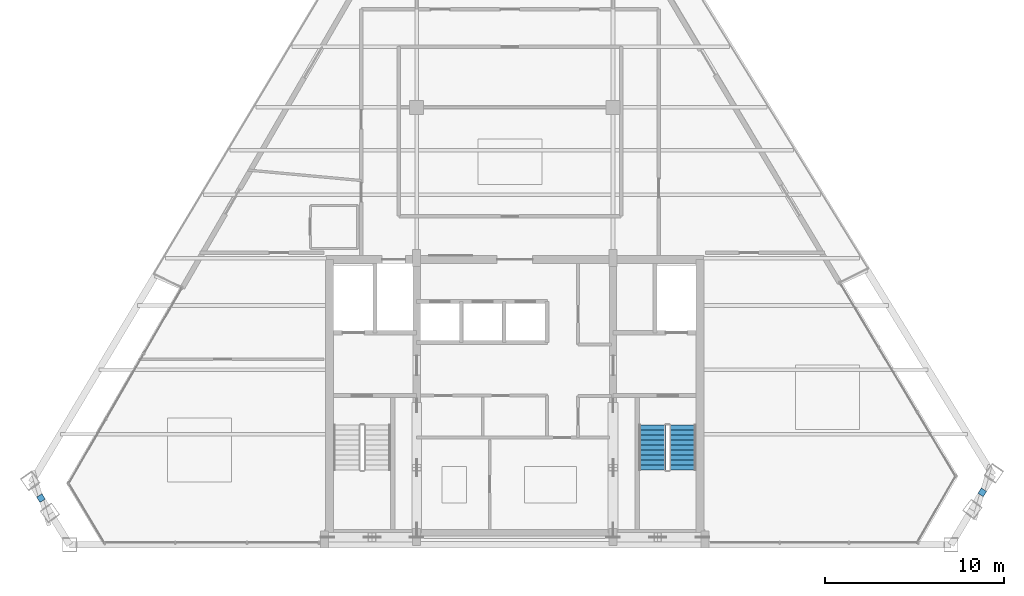
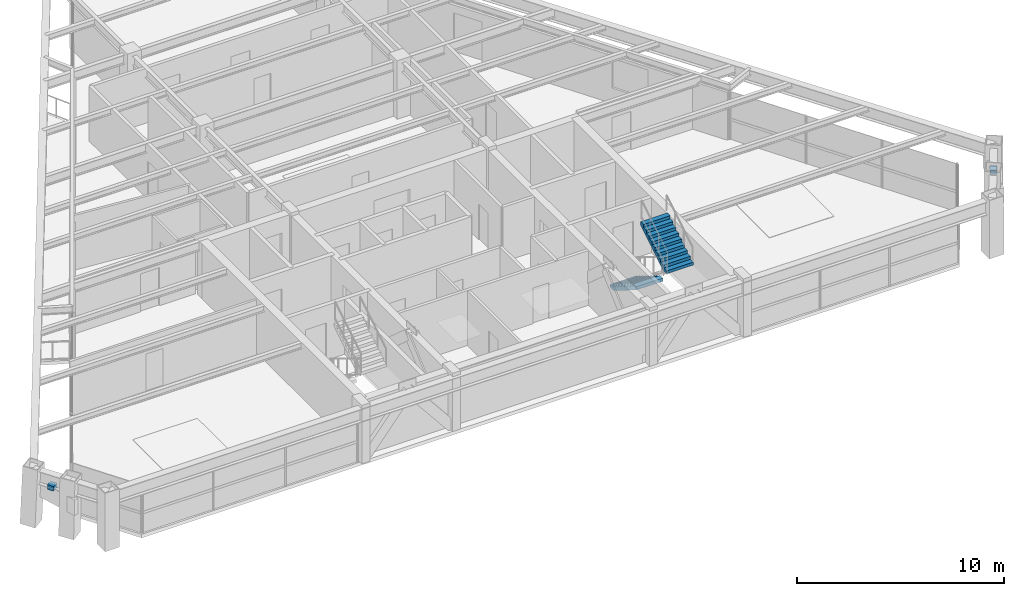
# One storey, part 11 of 13: 2 discrete accessories, 2 stair flights, 1 element without a shape of its own.
"""IFC4 building model written with IfcOpenShell, lengths in metres."""

import ifcopenshell
import ifcopenshell.guid

model = None  # the IFC model being written
_history = None  # IfcOwnerHistory: only IFC2X3 demands one
_inside = {}  # id of a spatial element -> (the spatial element, [elements in it])
_under = {}  # id of a project, library or spatial element -> (it, [spatial elements below it])
_declared = {}  # id of a project -> (the project, [libraries it declares])
_typed = {}  # id of a type object -> (the type object, [elements of that type])
_made_of = {}  # id of a material, layer set ... -> (it, [elements and type objects made of it])


def new_model(schema):
    """Start an empty IFC model of exactly this schema.

    Asked for "IFC4X3", IfcOpenShell would pick the latest addendum, in which some entities
    have other attributes; the version numbers below select the first issue.
    IFC2X3 requires an IfcOwnerHistory on every rooted entity: one is made here for all.
    """
    global model, _history
    if schema == "IFC4X3":
        model = ifcopenshell.file(schema_version=(4, 3, 0, 0))
    else:
        model = ifcopenshell.file(schema=schema)
    _inside.clear()
    _under.clear()
    _declared.clear()
    _typed.clear()
    _made_of.clear()
    _history = None
    if model.schema == "IFC2X3":
        org = make("IfcOrganization", Name="unknown")
        user = make(
            "IfcPersonAndOrganization",
            ThePerson=make("IfcPerson", FamilyName="unknown"),
            TheOrganization=org,
        )
        app = make(
            "IfcApplication",
            ApplicationDeveloper=org,
            Version="unknown",
            ApplicationFullName="unknown",
            ApplicationIdentifier="unknown",
        )
        _history = make(
            "IfcOwnerHistory",
            OwningUser=user,
            OwningApplication=app,
            ChangeAction="ADDED",
            CreationDate=0,
        )
    return model


def make(cls, **values):
    """One entity of the class cls with the attributes given. An attribute that is None is left unset."""
    return model.create_entity(
        cls, **{name: value for name, value in values.items() if value is not None}
    )


def rooted(cls, **values):
    """An entity with a GlobalId (a new one), such as an element, a storey or a relation."""
    return make(cls, GlobalId=ifcopenshell.guid.new(), OwnerHistory=_history, **values)


def si_unit(unit_type, name, prefix=None):
    """IfcSIUnit, for example si_unit("LENGTHUNIT", "METRE", prefix="MILLI")."""
    return make("IfcSIUnit", UnitType=unit_type, Prefix=prefix, Name=name)


def assignment(units):
    """IfcUnitAssignment: the units of a project."""
    return None if units is None else make("IfcUnitAssignment", Units=units)


def point(xyz):
    """IfcCartesianPoint."""
    return None if xyz is None else make("IfcCartesianPoint", Coordinates=xyz)


def direction(xyz):
    """IfcDirection."""
    return None if xyz is None else make("IfcDirection", DirectionRatios=xyz)


def frame(location, z_axis=None, x_axis=None):
    """IfcAxis2Placement3D, a coordinate frame: its origin and axes. An axis left out is left unset."""
    return make(
        "IfcAxis2Placement3D",
        Location=point(location),
        Axis=direction(z_axis),
        RefDirection=direction(x_axis),
    )


def frame_2d(location, x_axis=None):
    """IfcAxis2Placement2D, a coordinate frame in the plane: its origin and x axis."""
    return make(
        "IfcAxis2Placement2D", Location=point(location), RefDirection=direction(x_axis)
    )


def origin():
    """The frame at (0, 0, 0) with its axes left unset."""
    return frame((0.0, 0.0, 0.0))


def origin_2d():
    """The frame at (0, 0) in the plane with its x axis left unset."""
    return frame_2d((0.0, 0.0))


def place(relative_to, where):
    """IfcLocalPlacement: puts the frame where relative to a parent placement (None: the world)."""
    return make(
        "IfcLocalPlacement", PlacementRelTo=relative_to, RelativePlacement=where
    )


def context(
    kind, dimensions, precision=None, world=None, true_north=None, identifier=None
):
    """IfcGeometricRepresentationContext, for example the 3D "Model" context."""
    return make(
        "IfcGeometricRepresentationContext",
        ContextIdentifier=identifier,
        ContextType=kind,
        CoordinateSpaceDimension=dimensions,
        Precision=precision,
        WorldCoordinateSystem=world,
        TrueNorth=true_north,
    )


def subcontext(parent, identifier, kind, view, scale=None):
    """IfcGeometricRepresentationSubContext, for example "Body" below "Model"."""
    return make(
        "IfcGeometricRepresentationSubContext",
        ContextIdentifier=identifier,
        ContextType=kind,
        ParentContext=parent,
        TargetScale=scale,
        TargetView=view,
    )


def project(units=None, contexts=None):
    """IfcProject with its units and contexts."""
    return rooted(
        "IfcProject",
        Name="project",
        RepresentationContexts=contexts,
        UnitsInContext=assignment(units),
    )


def spatial(cls, under=None, at=None, **own):
    """A site, building, storey or space (cls), placed at a placement, below another one or the project."""
    s = rooted(cls, ObjectPlacement=at, **own)
    if under is not None:
        _under.setdefault(under.id(), (under, []))[1].append(s)
    return s


def polyline(points):
    """IfcPolyline through the points."""
    return make("IfcPolyline", Points=[point(p) for p in points])


def profile(cls, at=None, kind="AREA", **sizes):
    """A parametric profile (cls). Its sizes go by their IFC names, for example OverallWidth=200.0."""
    return make(cls, ProfileType=kind, Position=at, **sizes)


def rectangle(**sizes):
    """IfcRectangleProfileDef."""
    return profile("IfcRectangleProfileDef", **sizes)


def outline(outer, holes=None, kind="AREA"):
    """IfcArbitraryClosedProfileDef: a profile drawn as a closed curve; with holes, ...WithVoids."""
    if holes is None:
        return make("IfcArbitraryClosedProfileDef", ProfileType=kind, OuterCurve=outer)
    return make(
        "IfcArbitraryProfileDefWithVoids",
        ProfileType=kind,
        OuterCurve=outer,
        InnerCurves=holes,
    )


def extrude(swept, where, along, depth):
    """IfcExtrudedAreaSolid: the profile swept, set in the frame where, extruded along a direction by depth."""
    return make(
        "IfcExtrudedAreaSolid",
        SweptArea=swept,
        Position=where,
        ExtrudedDirection=direction(along),
        Depth=depth,
    )


def shape(context_of_items, identifier, shape_type, items):
    """IfcShapeRepresentation: the items that make up one representation, for example the "Body"."""
    return make(
        "IfcShapeRepresentation",
        ContextOfItems=context_of_items,
        RepresentationIdentifier=identifier,
        RepresentationType=shape_type,
        Items=items,
    )


def source(mapping_origin, context_of_items, identifier, shape_type, items):
    """IfcRepresentationMap: a shape defined once, which mapped items show again and again."""
    return make(
        "IfcRepresentationMap",
        MappingOrigin=mapping_origin,
        MappedRepresentation=shape(context_of_items, identifier, shape_type, items),
    )


def transform(
    local_origin,
    x_axis=None,
    y_axis=None,
    z_axis=None,
    scale=None,
    scale2=None,
    scale3=None,
    uniform=True,
):
    """IfcCartesianTransformationOperator3D, or its non-uniform kind. x_axis, y_axis, z_axis: its Axis1, 2, 3."""
    if uniform:
        return make(
            "IfcCartesianTransformationOperator3D",
            Axis1=direction(x_axis),
            Axis2=direction(y_axis),
            LocalOrigin=point(local_origin),
            Scale=scale,
            Axis3=direction(z_axis),
        )
    return make(
        "IfcCartesianTransformationOperator3DnonUniform",
        Axis1=direction(x_axis),
        Axis2=direction(y_axis),
        LocalOrigin=point(local_origin),
        Scale=scale,
        Axis3=direction(z_axis),
        Scale2=scale2,
        Scale3=scale3,
    )


def mapped(mapping_source, mapping_target):
    """IfcMappedItem: shows the shape of a source again, moved by a transform."""
    return make(
        "IfcMappedItem", MappingSource=mapping_source, MappingTarget=mapping_target
    )


def material(Name=None, Category=None):
    """IfcMaterial."""
    return make("IfcMaterial", Name=Name, Category=Category)


def made_of(thing, what):
    """Note that an element or type object is made of a material, layer set ...; save() writes the relation."""
    if what is not None:
        _made_of.setdefault(what.id(), (what, []))[1].append(thing)
    return thing


def type_object(cls, material=None, **own):
    """A type object (cls), such as IfcWallType, which elements share."""
    return made_of(rooted(cls, **own), material)


def type_shapes(of_type, sources):
    """Give a type object the sources (RepresentationMaps) that its elements show as mapped items."""
    of_type.RepresentationMaps = sources


def element(
    cls,
    number,
    at=None,
    inside=None,
    cuts=None,
    type_object=None,
    material=None,
    context=None,
    identifier="Body",
    shape_type=None,
    held_by="IfcProductDefinitionShape",
    body=None,
    shapes=None,
    **own,
):
    """One element of the class cls, such as IfcWall. Its Tag is "e" and its number.

    at: its placement. inside: the storey or other place that contains it. cuts: it is an
    opening in that element (IfcRelVoidsElement). A single representation is given by context,
    identifier, shape_type and body (its items); several are given by shapes. held_by: the class
    of the entity that holds the representations. save() writes the other relations.
    """
    e = rooted(cls, Tag="e%d" % number, ObjectPlacement=at, **own)
    if body is not None:
        shapes = [shape(context, identifier, shape_type, body)]
    if shapes is not None:
        e.Representation = make(held_by, Representations=shapes)
    if inside is not None:
        _inside.setdefault(inside.id(), (inside, []))[1].append(e)
    if cuts is not None:
        rooted(
            "IfcRelVoidsElement", RelatingBuildingElement=cuts, RelatedOpeningElement=e
        )
    if type_object is not None:
        _typed.setdefault(type_object.id(), (type_object, []))[1].append(e)
    return made_of(e, material)


def aggregate(whole, parts):
    """IfcRelAggregates: a whole, such as a stair, and the parts it consists of."""
    return rooted("IfcRelAggregates", RelatingObject=whole, RelatedObjects=parts)


def save(model, path):
    """Write the relations noted so far, then the file.

    IfcRelAggregates (storeys below a building ...), IfcRelContainedInSpatialStructure (elements
    in a storey), IfcRelDefinesByType, IfcRelAssociatesMaterial and IfcRelDeclares: one each for
    every whole, place, type object, material and project.
    """
    for whole, parts in _under.values():
        aggregate(whole, parts)
    for where, things in _inside.values():
        rooted(
            "IfcRelContainedInSpatialStructure",
            RelatedElements=things,
            RelatingStructure=where,
        )
    for kind, things in _typed.values():
        rooted("IfcRelDefinesByType", RelatedObjects=things, RelatingType=kind)
    for what, things in _made_of.values():
        rooted("IfcRelAssociatesMaterial", RelatedObjects=things, RelatingMaterial=what)
    for by, libraries in _declared.values():
        rooted("IfcRelDeclares", RelatingContext=by, RelatedDefinitions=libraries)
    model.write(path)


model = new_model("IFC4")

# Units and contexts
model_context = context("Model", 3, precision=1e-05, world=origin(), true_north=direction((0.0, 1.0)))
body_context = subcontext(model_context, "Body", "Model", "MODEL_VIEW")
ifc_project = project(units=[si_unit("LENGTHUNIT", "METRE"), si_unit("AREAUNIT", "SQUARE_METRE"), si_unit("VOLUMEUNIT", "CUBIC_METRE"), si_unit("PLANEANGLEUNIT", "RADIAN"), si_unit("MASSUNIT", "GRAM", prefix="KILO")], contexts=[model_context])

# Site, building, storey
site_placement = place(None, origin())
site = spatial("IfcSite", under=ifc_project, at=site_placement, CompositionType="ELEMENT")
building_placement = place(site_placement, origin())
building = spatial("IfcBuilding", under=site, at=building_placement, Name="Varnakhor Terracotta Tower", CompositionType="ELEMENT")
storey_placement = place(building_placement, frame((0.0, 0.0, 269.550048828125)))
storey = spatial("IfcBuildingStorey", under=building, at=storey_placement, Name="L70", CompositionType="ELEMENT", Elevation=269.550048828125)

# Stair, stair flights
ifc_material_1 = material(Name="Concrete C40/50", Category="concrete")
stair_type = type_object("IfcStairType", Name="STR-CORE-HOTEL-1500", PredefinedType="HALF_TURN_STAIR", material=ifc_material_1)
stair_placement = place(storey_placement, origin())
stair = element("IfcStair", 1, at=stair_placement, inside=storey, type_object=stair_type, Name="L70 Core Exit Stair ST-2", PredefinedType="HALF_TURN_STAIR")
stair_flight_type = type_object("IfcStairFlightType", Name="FLT-HOTEL-1500", PredefinedType="STRAIGHT", material=ifc_material_1)
stair_flight_1_placement = place(storey_placement, frame((7.699951171875, 6.7099609375, 0.0), z_axis=(0.0, 0.0, 1.0), x_axis=(0.0, -1.0, 0.0)))
stair_flight_1 = element("IfcStairFlight", 2, at=stair_flight_1_placement, type_object=stair_flight_type, Name="ST-2 flight 1", NumberOfRisers=10, NumberOfTreads=9, PredefinedType="STRAIGHT", RiserHeight=0.1725, TreadLength=0.28, context=body_context, shape_type="SweptSolid", body=[
    extrude(outline(polyline([(0.0, 0.0), (0.0, 0.172607421875), (0.280029296875, 0.172607421875), (0.280029296875, 0.344970703125), (0.56005859375, 0.344970703125), (0.56005859375, 0.517578125), (0.840087890625, 0.517578125), (0.840087890625, 0.68994140625), (1.1201171875, 0.68994140625), (1.1201171875, 0.862548828125), (1.39990234375, 0.862548828125), (1.39990234375, 1.034912109375), (1.679931640625, 1.034912109375), (1.679931640625, 1.20751953125), (1.9599609375, 1.20751953125), (1.9599609375, 1.3798828125), (2.239990234375, 1.3798828125), (2.239990234375, 1.552490234375), (2.52001953125, 1.552490234375), (2.52001953125, 1.72509765625), (2.52001953125, 1.36474609375), (0.304931640625, 0.0), (0.0, 0.0)])), frame((0.0, 0.75, 0.0), z_axis=(0.0, -1.0, 0.0), x_axis=(1.0, 0.0, 0.0)), (0.0, 0.0, 1.0), 1.5),
])
stair_flight_2_placement = place(storey_placement, frame((9.39990234375, 4.18994140625, 1.724853515625), z_axis=(0.0, 0.0, 1.0), x_axis=(0.0, 1.0, 0.0)))
stair_flight_2 = element("IfcStairFlight", 3, at=stair_flight_2_placement, type_object=stair_flight_type, Name="ST-2 flight 2", NumberOfRisers=10, NumberOfTreads=9, PredefinedType="STRAIGHT", RiserHeight=0.1725, TreadLength=0.28, context=body_context, shape_type="SweptSolid", body=[
    extrude(outline(polyline([(0.0, 0.0), (0.0, 0.172607421875), (0.280029296875, 0.172607421875), (0.280029296875, 0.344970703125), (0.56005859375, 0.344970703125), (0.56005859375, 0.517578125), (0.840087890625, 0.517578125), (0.840087890625, 0.68994140625), (1.1201171875, 0.68994140625), (1.1201171875, 0.862548828125), (1.39990234375, 0.862548828125), (1.39990234375, 1.034912109375), (1.679931640625, 1.034912109375), (1.679931640625, 1.20751953125), (1.9599609375, 1.20751953125), (1.9599609375, 1.3798828125), (2.239990234375, 1.3798828125), (2.239990234375, 1.552490234375), (2.52001953125, 1.552490234375), (2.52001953125, 1.72509765625), (2.52001953125, 1.36474609375), (0.304931640625, 0.0), (0.0, 0.0)])), frame((0.0, 0.75, 0.0), z_axis=(0.0, -1.0, 0.0), x_axis=(1.0, 0.0, 0.0)), (0.0, 0.0, 1.0), 1.5),
])
aggregate(stair, [stair_flight_1, stair_flight_2])

# Discrete accessories
ifc_material_2 = material(Name="Stainless Steel Fixing Bracket", Category="steel")
discrete_accessory_type = type_object("IfcDiscreteAccessoryType", Name="BRACKET-TERRACOTTA-SCREEN", PredefinedType="BRACKET", material=ifc_material_2)
shared_shape = source(origin(), body_context, "Body", "SweptSolid", [
    extrude(rectangle(XDim=0.35009765625, YDim=0.35009765625, at=origin_2d()), origin(), (0.0, 0.0, 1.0), 0.280029296875),
])
type_shapes(discrete_accessory_type, [shared_shape])
for number, where, z_axis, x_axis, name in (
    (4, (26.174072265625, 2.936279296875, 2.3369140625), (0.0, 0.0, 1.0), (0.51334655009, 0.85818140245, 0.0), "L70 E Screen Fixing Bracket"),
    (5, (-26.5419921875, 2.6162109375, 2.3369140625), (0.0, 0.0, 1.0), (0.523391160753, -0.852092537724, 0.0), "L70 W Screen Fixing Bracket"),
):
    element("IfcDiscreteAccessory", number, at=place(storey_placement, frame(where, z_axis=z_axis, x_axis=x_axis)), inside=storey, type_object=discrete_accessory_type, Name=name, PredefinedType="BRACKET", context=body_context, shape_type="MappedRepresentation", body=[
        mapped(shared_shape, transform((0.0, 0.0, 0.0), scale=1.0)),
    ])

save(model, "model.ifc")
